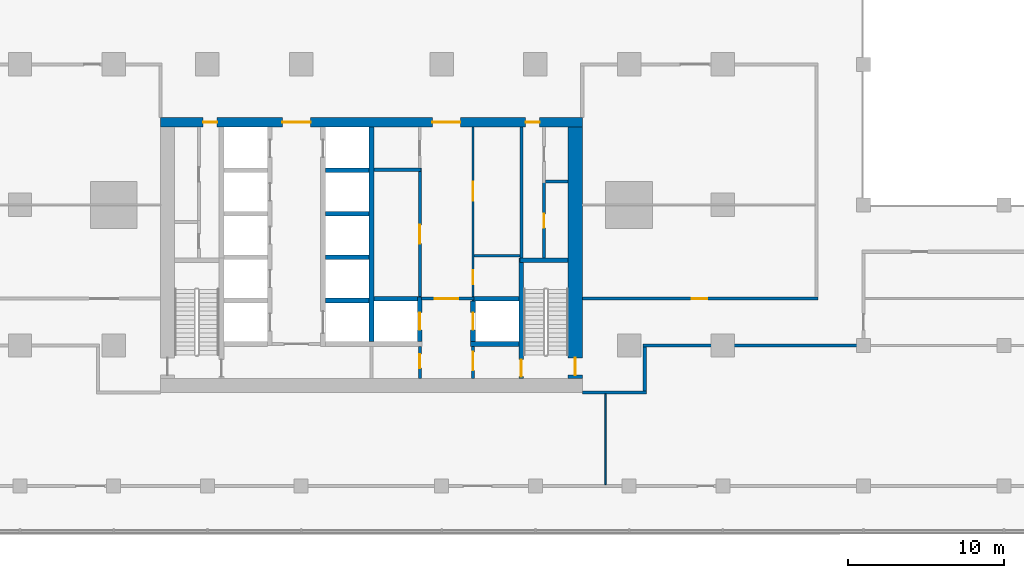
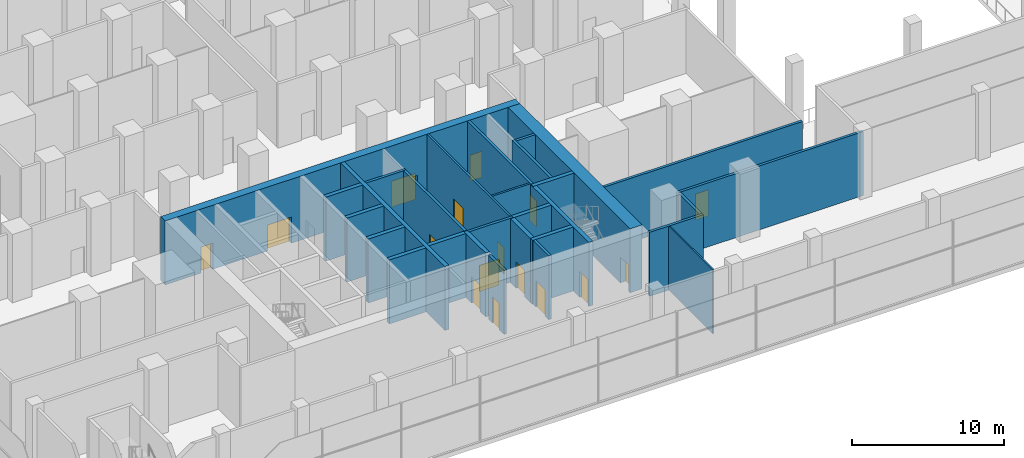
# One storey, part 14 of 22: 29 walls, 16 doors, 16 openings.
"""IFC4 building model written with IfcOpenShell, lengths in metres."""

import ifcopenshell
import ifcopenshell.guid

model = None  # the IFC model being written
_history = None  # IfcOwnerHistory: only IFC2X3 demands one
_inside = {}  # id of a spatial element -> (the spatial element, [elements in it])
_under = {}  # id of a project, library or spatial element -> (it, [spatial elements below it])
_declared = {}  # id of a project -> (the project, [libraries it declares])
_typed = {}  # id of a type object -> (the type object, [elements of that type])
_made_of = {}  # id of a material, layer set ... -> (it, [elements and type objects made of it])


def new_model(schema):
    """Start an empty IFC model of exactly this schema.

    Asked for "IFC4X3", IfcOpenShell would pick the latest addendum, in which some entities
    have other attributes; the version numbers below select the first issue.
    IFC2X3 requires an IfcOwnerHistory on every rooted entity: one is made here for all.
    """
    global model, _history
    if schema == "IFC4X3":
        model = ifcopenshell.file(schema_version=(4, 3, 0, 0))
    else:
        model = ifcopenshell.file(schema=schema)
    _inside.clear()
    _under.clear()
    _declared.clear()
    _typed.clear()
    _made_of.clear()
    _history = None
    if model.schema == "IFC2X3":
        org = make("IfcOrganization", Name="unknown")
        user = make(
            "IfcPersonAndOrganization",
            ThePerson=make("IfcPerson", FamilyName="unknown"),
            TheOrganization=org,
        )
        app = make(
            "IfcApplication",
            ApplicationDeveloper=org,
            Version="unknown",
            ApplicationFullName="unknown",
            ApplicationIdentifier="unknown",
        )
        _history = make(
            "IfcOwnerHistory",
            OwningUser=user,
            OwningApplication=app,
            ChangeAction="ADDED",
            CreationDate=0,
        )
    return model


def make(cls, **values):
    """One entity of the class cls with the attributes given. An attribute that is None is left unset."""
    return model.create_entity(
        cls, **{name: value for name, value in values.items() if value is not None}
    )


def rooted(cls, **values):
    """An entity with a GlobalId (a new one), such as an element, a storey or a relation."""
    return make(cls, GlobalId=ifcopenshell.guid.new(), OwnerHistory=_history, **values)


def si_unit(unit_type, name, prefix=None):
    """IfcSIUnit, for example si_unit("LENGTHUNIT", "METRE", prefix="MILLI")."""
    return make("IfcSIUnit", UnitType=unit_type, Prefix=prefix, Name=name)


def assignment(units):
    """IfcUnitAssignment: the units of a project."""
    return None if units is None else make("IfcUnitAssignment", Units=units)


def point(xyz):
    """IfcCartesianPoint."""
    return None if xyz is None else make("IfcCartesianPoint", Coordinates=xyz)


def direction(xyz):
    """IfcDirection."""
    return None if xyz is None else make("IfcDirection", DirectionRatios=xyz)


def frame(location, z_axis=None, x_axis=None):
    """IfcAxis2Placement3D, a coordinate frame: its origin and axes. An axis left out is left unset."""
    return make(
        "IfcAxis2Placement3D",
        Location=point(location),
        Axis=direction(z_axis),
        RefDirection=direction(x_axis),
    )


def frame_2d(location, x_axis=None):
    """IfcAxis2Placement2D, a coordinate frame in the plane: its origin and x axis."""
    return make(
        "IfcAxis2Placement2D", Location=point(location), RefDirection=direction(x_axis)
    )


def origin():
    """The frame at (0, 0, 0) with its axes left unset."""
    return frame((0.0, 0.0, 0.0))


def place(relative_to, where):
    """IfcLocalPlacement: puts the frame where relative to a parent placement (None: the world)."""
    return make(
        "IfcLocalPlacement", PlacementRelTo=relative_to, RelativePlacement=where
    )


def context(
    kind, dimensions, precision=None, world=None, true_north=None, identifier=None
):
    """IfcGeometricRepresentationContext, for example the 3D "Model" context."""
    return make(
        "IfcGeometricRepresentationContext",
        ContextIdentifier=identifier,
        ContextType=kind,
        CoordinateSpaceDimension=dimensions,
        Precision=precision,
        WorldCoordinateSystem=world,
        TrueNorth=true_north,
    )


def subcontext(parent, identifier, kind, view, scale=None):
    """IfcGeometricRepresentationSubContext, for example "Body" below "Model"."""
    return make(
        "IfcGeometricRepresentationSubContext",
        ContextIdentifier=identifier,
        ContextType=kind,
        ParentContext=parent,
        TargetScale=scale,
        TargetView=view,
    )


def project(units=None, contexts=None):
    """IfcProject with its units and contexts."""
    return rooted(
        "IfcProject",
        Name="project",
        RepresentationContexts=contexts,
        UnitsInContext=assignment(units),
    )


def spatial(cls, under=None, at=None, **own):
    """A site, building, storey or space (cls), placed at a placement, below another one or the project."""
    s = rooted(cls, ObjectPlacement=at, **own)
    if under is not None:
        _under.setdefault(under.id(), (under, []))[1].append(s)
    return s


def profile(cls, at=None, kind="AREA", **sizes):
    """A parametric profile (cls). Its sizes go by their IFC names, for example OverallWidth=200.0."""
    return make(cls, ProfileType=kind, Position=at, **sizes)


def rectangle(**sizes):
    """IfcRectangleProfileDef."""
    return profile("IfcRectangleProfileDef", **sizes)


def extrude(swept, where, along, depth):
    """IfcExtrudedAreaSolid: the profile swept, set in the frame where, extruded along a direction by depth."""
    return make(
        "IfcExtrudedAreaSolid",
        SweptArea=swept,
        Position=where,
        ExtrudedDirection=direction(along),
        Depth=depth,
    )


def shape(context_of_items, identifier, shape_type, items):
    """IfcShapeRepresentation: the items that make up one representation, for example the "Body"."""
    return make(
        "IfcShapeRepresentation",
        ContextOfItems=context_of_items,
        RepresentationIdentifier=identifier,
        RepresentationType=shape_type,
        Items=items,
    )


def material(Name=None, Category=None):
    """IfcMaterial."""
    return make("IfcMaterial", Name=Name, Category=Category)


def layer(
    of_material, thickness, ventilated=None, Name=None, Category=None, Priority=None
):
    """IfcMaterialLayer: one layer of a wall or slab, of a material (None: an air gap)."""
    return make(
        "IfcMaterialLayer",
        Material=of_material,
        LayerThickness=thickness,
        IsVentilated=ventilated,
        Name=Name,
        Category=Category,
        Priority=Priority,
    )


def layer_set(layers, Name=None):
    """IfcMaterialLayerSet."""
    return make("IfcMaterialLayerSet", MaterialLayers=layers, LayerSetName=Name)


def made_of(thing, what):
    """Note that an element or type object is made of a material, layer set ...; save() writes the relation."""
    if what is not None:
        _made_of.setdefault(what.id(), (what, []))[1].append(thing)
    return thing


def type_object(cls, material=None, **own):
    """A type object (cls), such as IfcWallType, which elements share."""
    return made_of(rooted(cls, **own), material)


def element(
    cls,
    number,
    at=None,
    inside=None,
    cuts=None,
    type_object=None,
    material=None,
    context=None,
    identifier="Body",
    shape_type=None,
    held_by="IfcProductDefinitionShape",
    body=None,
    shapes=None,
    **own,
):
    """One element of the class cls, such as IfcWall. Its Tag is "e" and its number.

    at: its placement. inside: the storey or other place that contains it. cuts: it is an
    opening in that element (IfcRelVoidsElement). A single representation is given by context,
    identifier, shape_type and body (its items); several are given by shapes. held_by: the class
    of the entity that holds the representations. save() writes the other relations.
    """
    e = rooted(cls, Tag="e%d" % number, ObjectPlacement=at, **own)
    if body is not None:
        shapes = [shape(context, identifier, shape_type, body)]
    if shapes is not None:
        e.Representation = make(held_by, Representations=shapes)
    if inside is not None:
        _inside.setdefault(inside.id(), (inside, []))[1].append(e)
    if cuts is not None:
        rooted(
            "IfcRelVoidsElement", RelatingBuildingElement=cuts, RelatedOpeningElement=e
        )
    if type_object is not None:
        _typed.setdefault(type_object.id(), (type_object, []))[1].append(e)
    return made_of(e, material)


def fill(opening, filler):
    """IfcRelFillsElement: the door or window that sits in an opening."""
    return rooted(
        "IfcRelFillsElement",
        RelatingOpeningElement=opening,
        RelatedBuildingElement=filler,
    )


def aggregate(whole, parts):
    """IfcRelAggregates: a whole, such as a stair, and the parts it consists of."""
    return rooted("IfcRelAggregates", RelatingObject=whole, RelatedObjects=parts)


def save(model, path):
    """Write the relations noted so far, then the file.

    IfcRelAggregates (storeys below a building ...), IfcRelContainedInSpatialStructure (elements
    in a storey), IfcRelDefinesByType, IfcRelAssociatesMaterial and IfcRelDeclares: one each for
    every whole, place, type object, material and project.
    """
    for whole, parts in _under.values():
        aggregate(whole, parts)
    for where, things in _inside.values():
        rooted(
            "IfcRelContainedInSpatialStructure",
            RelatedElements=things,
            RelatingStructure=where,
        )
    for kind, things in _typed.values():
        rooted("IfcRelDefinesByType", RelatedObjects=things, RelatingType=kind)
    for what, things in _made_of.values():
        rooted("IfcRelAssociatesMaterial", RelatedObjects=things, RelatingMaterial=what)
    for by, libraries in _declared.values():
        rooted("IfcRelDeclares", RelatingContext=by, RelatedDefinitions=libraries)
    model.write(path)


model = new_model("IFC4")

# Units and contexts
model_context = context("Model", 3, precision=1e-05, world=origin(), true_north=direction((0.0, 1.0)))
body_context = subcontext(model_context, "Body", "Model", "MODEL_VIEW")
ifc_project = project(units=[si_unit("LENGTHUNIT", "METRE"), si_unit("AREAUNIT", "SQUARE_METRE"), si_unit("VOLUMEUNIT", "CUBIC_METRE"), si_unit("PLANEANGLEUNIT", "RADIAN"), si_unit("MASSUNIT", "GRAM", prefix="KILO")], contexts=[model_context])

# Site, building, storey
site_placement = place(None, origin())
site = spatial("IfcSite", under=ifc_project, at=site_placement, CompositionType="ELEMENT")
building_placement = place(site_placement, origin())
building = spatial("IfcBuilding", under=site, at=building_placement, Name="Finial Court Residences", CompositionType="ELEMENT")
storey_placement = place(building_placement, frame((0.0, 0.0, 8.0)))
storey = spatial("IfcBuildingStorey", under=building, at=storey_placement, Name="L01", CompositionType="ELEMENT", Elevation=8.0)

# Wall, openings, doors
ifc_material_1 = material(Name="Concrete C80/95", Category="concrete")
ifc_layer_1 = layer(ifc_material_1, 0.60009765625)
ifc_layer_set_1 = layer_set([ifc_layer_1], Name="Core outer wall 600 Concrete C80/95")
wall_type_1 = type_object("IfcWallType", Name="Core outer wall 600 Concrete C80/95", PredefinedType="SHEAR", material=ifc_layer_set_1)
wall_1_placement = place(storey_placement, frame((-13.5, -8.199951171875, 0.0), z_axis=(0.0, 0.0, 1.0), x_axis=(1.0, 0.0, 0.0)))
wall_1 = element("IfcWall", 1, at=wall_1_placement, inside=storey, type_object=wall_type_1, Name="Core outer wall L01-02", PredefinedType="SHEAR", context=body_context, shape_type="SweptSolid", body=[
    extrude(rectangle(XDim=27.0, YDim=0.60009765625, at=frame_2d((13.5, 0.0))), origin(), (0.0, 0.0, 1.0), 5.14990234375),
])
opening_1_placement = place(wall_1_placement, frame((7.800048828125, 0.0, 0.0)))
opening_1 = element("IfcOpeningElement", 2, at=opening_1_placement, cuts=wall_1, Name="Opening L01-C04", PredefinedType="OPENING", context=body_context, shape_type="SweptSolid", body=[
    extrude(rectangle(XDim=1.800048828125, YDim=2.10009765625, at=frame_2d((0.89990234375, 1.050048828125))), frame((0.0, 0.31005859375, 0.0), z_axis=(0.0, -1.0, 0.0), x_axis=(1.0, 0.0, 0.0)), (0.0, 0.0, 1.0), 0.6201171875),
])
opening_2_placement = place(wall_1_placement, frame((17.39990234375, 0.0, 0.0)))
opening_2 = element("IfcOpeningElement", 3, at=opening_2_placement, cuts=wall_1, Name="Opening L01-C05", PredefinedType="OPENING", context=body_context, shape_type="SweptSolid", body=[
    extrude(rectangle(XDim=1.800048828125, YDim=2.10009765625, at=frame_2d((0.89990234375, 1.050048828125))), frame((0.0, 0.31005859375, 0.0), z_axis=(0.0, -1.0, 0.0), x_axis=(1.0, 0.0, 0.0)), (0.0, 0.0, 1.0), 0.6201171875),
])
opening_3_placement = place(wall_1_placement, frame((2.72509765625, 0.0, 0.0)))
opening_3 = element("IfcOpeningElement", 4, at=opening_3_placement, cuts=wall_1, Name="Opening L01-C10", PredefinedType="OPENING", context=body_context, shape_type="SweptSolid", body=[
    extrude(rectangle(XDim=0.89990234375, YDim=2.10009765625, at=frame_2d((0.449951171875, 1.050048828125))), frame((0.0, 0.31005859375, 0.0), z_axis=(0.0, -1.0, 0.0), x_axis=(1.0, 0.0, 0.0)), (0.0, 0.0, 1.0), 0.6201171875),
])
opening_4_placement = place(wall_1_placement, frame((23.375, 0.0, 0.0)))
opening_4 = element("IfcOpeningElement", 5, at=opening_4_placement, cuts=wall_1, Name="Opening L01-C11", PredefinedType="OPENING", context=body_context, shape_type="SweptSolid", body=[
    extrude(rectangle(XDim=0.89990234375, YDim=2.10009765625, at=frame_2d((0.449951171875, 1.050048828125))), frame((0.0, 0.31005859375, 0.0), z_axis=(0.0, -1.0, 0.0), x_axis=(1.0, 0.0, 0.0)), (0.0, 0.0, 1.0), 0.6201171875),
])
ifc_material_2 = material(Name="Steel fire door", Category="steel")
door_type_1 = type_object("IfcDoorType", Name="Lift lobby door 1800 x 2100 EI 60", OperationType="DOUBLE_DOOR_SINGLE_SWING", PredefinedType="DOOR", material=ifc_material_2)
door_1_placement = place(opening_1_placement, origin())
door_1 = element("IfcDoor", 6, at=door_1_placement, inside=storey, type_object=door_type_1, Name="Lift lobby door L01-C04", OperationType="DOUBLE_DOOR_SINGLE_SWING", OverallHeight=2.10009765625, OverallWidth=1.800048828125, PredefinedType="DOOR", context=body_context, shape_type="SweptSolid", body=[
    extrude(rectangle(XDim=1.800048828125, YDim=2.10009765625, at=frame_2d((0.89990234375, 1.050048828125))), frame((0.0, 0.02490234375, 0.0), z_axis=(0.0, -1.0, 0.0), x_axis=(1.0, 0.0, 0.0)), (0.0, 0.0, 1.0), 0.050048828125),
])
fill(opening_1, door_1)
door_2_placement = place(opening_2_placement, origin())
door_2 = element("IfcDoor", 7, at=door_2_placement, inside=storey, type_object=door_type_1, Name="Lift lobby door L01-C05", OperationType="DOUBLE_DOOR_SINGLE_SWING", OverallHeight=2.10009765625, OverallWidth=1.800048828125, PredefinedType="DOOR", context=body_context, shape_type="SweptSolid", body=[
    extrude(rectangle(XDim=1.800048828125, YDim=2.10009765625, at=frame_2d((0.89990234375, 1.050048828125))), frame((0.0, 0.02490234375, 0.0), z_axis=(0.0, -1.0, 0.0), x_axis=(1.0, 0.0, 0.0)), (0.0, 0.0, 1.0), 0.050048828125),
])
fill(opening_2, door_2)
door_type_2 = type_object("IfcDoorType", Name="Riser room door 900 x 2100 EI 90", OperationType="NOTDEFINED", PredefinedType="DOOR", material=ifc_material_2)
door_3_placement = place(opening_3_placement, origin())
door_3 = element("IfcDoor", 8, at=door_3_placement, inside=storey, type_object=door_type_2, Name="Riser room door L01-C10", OperationType="SINGLE_SWING_RIGHT", OverallHeight=2.10009765625, OverallWidth=0.89990234375, PredefinedType="DOOR", context=body_context, shape_type="SweptSolid", body=[
    extrude(rectangle(XDim=0.89990234375, YDim=2.10009765625, at=frame_2d((0.449951171875, 1.050048828125))), frame((0.0, 0.02490234375, 0.0), z_axis=(0.0, -1.0, 0.0), x_axis=(1.0, 0.0, 0.0)), (0.0, 0.0, 1.0), 0.050048828125),
])
fill(opening_3, door_3)
door_4_placement = place(opening_4_placement, origin())
door_4 = element("IfcDoor", 9, at=door_4_placement, inside=storey, type_object=door_type_2, Name="Riser room door L01-C11", OperationType="SINGLE_SWING_LEFT", OverallHeight=2.10009765625, OverallWidth=0.89990234375, PredefinedType="DOOR", context=body_context, shape_type="SweptSolid", body=[
    extrude(rectangle(XDim=0.89990234375, YDim=2.10009765625, at=frame_2d((0.449951171875, 1.050048828125))), frame((0.0, 0.02490234375, 0.0), z_axis=(0.0, -1.0, 0.0), x_axis=(1.0, 0.0, 0.0)), (0.0, 0.0, 1.0), 0.050048828125),
])
fill(opening_4, door_4)

# Wall, opening, door
ifc_layer_2 = layer(ifc_material_1, 0.89990234375)
ifc_layer_set_2 = layer_set([ifc_layer_2], Name="Core outer wall 900 Concrete C80/95")
wall_type_2 = type_object("IfcWallType", Name="Core outer wall 900 Concrete C80/95", PredefinedType="SHEAR", material=ifc_layer_set_2)
wall_2_placement = place(storey_placement, frame((13.050048828125, -24.60009765625, 0.0), z_axis=(0.0, 0.0, 1.0), x_axis=(0.0, 1.0, 0.0)))
wall_2 = element("IfcWall", 10, at=wall_2_placement, inside=storey, type_object=wall_type_2, Name="Core outer wall L01-04", PredefinedType="SHEAR", context=body_context, shape_type="SweptSolid", body=[
    extrude(rectangle(XDim=16.10009765625, YDim=0.89990234375, at=frame_2d((8.050048828125, 0.0))), origin(), (0.0, 0.0, 1.0), 5.14990234375),
])
opening_5_placement = place(wall_2_placement, frame((0.199951171875, 0.0, 0.0)))
opening_5 = element("IfcOpeningElement", 11, at=opening_5_placement, cuts=wall_2, Name="Opening L01-C20", PredefinedType="OPENING", context=body_context, shape_type="SweptSolid", body=[
    extrude(rectangle(XDim=1.10009765625, YDim=2.10009765625, at=frame_2d((0.550048828125, 1.050048828125))), frame((0.0, 0.4599609375, 0.0), z_axis=(0.0, -1.0, 0.0), x_axis=(1.0, 0.0, 0.0)), (0.0, 0.0, 1.0), 0.919921875),
])
door_type_3 = type_object("IfcDoorType", Name="Stair door 1100 x 2100 EI 90", OperationType="NOTDEFINED", PredefinedType="DOOR", material=ifc_material_2)
door_5_placement = place(opening_5_placement, origin())
door_5 = element("IfcDoor", 12, at=door_5_placement, inside=storey, type_object=door_type_3, Name="Stair door L01-C20", OperationType="SINGLE_SWING_LEFT", OverallHeight=2.10009765625, OverallWidth=1.10009765625, PredefinedType="DOOR", context=body_context, shape_type="SweptSolid", body=[
    extrude(rectangle(XDim=1.10009765625, YDim=2.10009765625, at=frame_2d((0.550048828125, 1.050048828125))), frame((0.0, 0.02490234375, 0.0), z_axis=(0.0, -1.0, 0.0), x_axis=(1.0, 0.0, 0.0)), (0.0, 0.0, 1.0), 0.050048828125),
])
fill(opening_5, door_5)

# Wall
ifc_material_3 = material(Name="Fire-rated gypsum board partition")
ifc_layer_3 = layer(ifc_material_3, 0.14990234375)
ifc_layer_set_3 = layer_set([ifc_layer_3], Name="Core room partition 150 EI 60")
wall_type_3 = type_object("IfcWallType", Name="Core room partition 150 EI 60", PredefinedType="PARTITIONING", material=ifc_layer_set_3)
wall_3_placement = place(storey_placement, frame((6.574951171875, -16.75, 0.0), z_axis=(0.0, 0.0, 1.0), x_axis=(1.0, 0.0, 0.0)))
element("IfcWall", 13, at=wall_3_placement, inside=storey, type_object=wall_type_3, Name="Core partition L01-14", PredefinedType="PARTITIONING", context=body_context, shape_type="SweptSolid", body=[
    extrude(rectangle(XDim=2.925048828125, YDim=0.14990234375, at=frame_2d((1.46240234375, 0.0))), origin(), (0.0, 0.0, 1.0), 5.14990234375),
])

# Wall, openings, doors
wall_4_placement = place(storey_placement, frame((6.5, -8.5, 0.0), z_axis=(0.0, 0.0, 1.0), x_axis=(0.0, -1.0, 0.0)))
wall_4 = element("IfcWall", 14, at=wall_4_placement, inside=storey, type_object=wall_type_3, Name="Core partition L01-36", PredefinedType="PARTITIONING", context=body_context, shape_type="SweptSolid", body=[
    extrude(rectangle(XDim=10.85009765625, YDim=0.14990234375, at=frame_2d((5.425048828125, 0.0))), origin(), (0.0, 0.0, 1.0), 5.14990234375),
])
opening_6_placement = place(wall_4_placement, frame((9.175048828125, 0.0, 0.0)))
opening_6 = element("IfcOpeningElement", 15, at=opening_6_placement, cuts=wall_4, Name="Opening L01-C15", PredefinedType="OPENING", context=body_context, shape_type="SweptSolid", body=[
    extrude(rectangle(XDim=0.89990234375, YDim=2.10009765625, at=frame_2d((0.449951171875, 1.050048828125))), frame((0.0, 0.0849609375, 0.0), z_axis=(0.0, -1.0, 0.0), x_axis=(1.0, 0.0, 0.0)), (0.0, 0.0, 1.0), 0.169921875),
])
opening_7_placement = place(wall_4_placement, frame((3.52490234375, 0.0, 0.0)))
opening_7 = element("IfcOpeningElement", 16, at=opening_7_placement, cuts=wall_4, Name="Opening L01-C16", PredefinedType="OPENING", context=body_context, shape_type="SweptSolid", body=[
    extrude(rectangle(XDim=1.199951171875, YDim=2.10009765625, at=frame_2d((0.60009765625, 1.050048828125))), frame((0.0, 0.0849609375, 0.0), z_axis=(0.0, -1.0, 0.0), x_axis=(1.0, 0.0, 0.0)), (0.0, 0.0, 1.0), 0.169921875),
])
door_type_4 = type_object("IfcDoorType", Name="Core room door 1200 x 2100 EI 60", OperationType="NOTDEFINED", PredefinedType="DOOR", material=ifc_material_2)
door_6_placement = place(opening_7_placement, origin())
door_6 = element("IfcDoor", 17, at=door_6_placement, inside=storey, type_object=door_type_4, Name="Core room door L01-C16", OperationType="SINGLE_SWING_RIGHT", OverallHeight=2.10009765625, OverallWidth=1.199951171875, PredefinedType="DOOR", context=body_context, shape_type="SweptSolid", body=[
    extrude(rectangle(XDim=1.199951171875, YDim=2.10009765625, at=frame_2d((0.60009765625, 1.050048828125))), frame((0.0, 0.02490234375, 0.0), z_axis=(0.0, -1.0, 0.0), x_axis=(1.0, 0.0, 0.0)), (0.0, 0.0, 1.0), 0.050048828125),
])
fill(opening_7, door_6)
door_type_5 = type_object("IfcDoorType", Name="Core room door 900 x 2100 EI 60", OperationType="NOTDEFINED", PredefinedType="DOOR", material=ifc_material_2)
door_7_placement = place(opening_6_placement, origin())
door_7 = element("IfcDoor", 18, at=door_7_placement, inside=storey, type_object=door_type_5, Name="Core room door L01-C15", OperationType="SINGLE_SWING_RIGHT", OverallHeight=2.10009765625, OverallWidth=0.89990234375, PredefinedType="DOOR", context=body_context, shape_type="SweptSolid", body=[
    extrude(rectangle(XDim=0.89990234375, YDim=2.10009765625, at=frame_2d((0.449951171875, 1.050048828125))), frame((0.0, 0.02490234375, 0.0), z_axis=(0.0, -1.0, 0.0), x_axis=(1.0, 0.0, 0.0)), (0.0, 0.0, 1.0), 0.050048828125),
])
fill(opening_6, door_7)

# Walls
ifc_material_4 = material(Name="Gypsum board")
ifc_layer_4 = layer(ifc_material_4, 0.02490234375)
ifc_material_5 = material(Name="Acoustic mineral wool in double frame")
ifc_layer_5 = layer(ifc_material_5, 0.14990234375)
ifc_layer_6 = layer(ifc_material_4, 0.02490234375)
ifc_layer_set_4 = layer_set([ifc_layer_4, ifc_layer_5, ifc_layer_6], Name="Corridor wall 200, 1 hour")
wall_type_4 = type_object("IfcWallType", Name="Corridor wall 200, 1 hour", PredefinedType="PARTITIONING", material=ifc_layer_set_4)
wall_5_placement = place(storey_placement, frame((13.5, -25.5, 0.0), z_axis=(0.0, 0.0, 1.0), x_axis=(1.0, 0.0, 0.0)))
element("IfcWall", 19, at=wall_5_placement, inside=storey, type_object=wall_type_4, Name="Partition L01-004", PredefinedType="PARTITIONING", context=body_context, shape_type="SweptSolid", body=[
    extrude(rectangle(XDim=4.10009765625, YDim=0.199951171875, at=frame_2d((2.050048828125, 0.0))), origin(), (0.0, 0.0, 1.0), 5.14990234375),
])
wall_6_placement = place(storey_placement, frame((17.39990234375, -22.5, 0.0), z_axis=(0.0, 0.0, 1.0), x_axis=(1.0, 0.0, 0.0)))
element("IfcWall", 20, at=wall_6_placement, inside=storey, type_object=wall_type_4, Name="Partition L01-006", PredefinedType="PARTITIONING", context=body_context, shape_type="SweptSolid", body=[
    extrude(rectangle(XDim=14.10009765625, YDim=0.199951171875, at=frame_2d((7.050048828125, 0.0))), origin(), (0.0, 0.0, 1.0), 5.14990234375),
])

# Wall, opening, door
wall_7_placement = place(storey_placement, frame((13.5, -19.5, 0.0), z_axis=(0.0, 0.0, 1.0), x_axis=(1.0, 0.0, 0.0)))
wall_7 = element("IfcWall", 21, at=wall_7_placement, inside=storey, type_object=wall_type_4, Name="Partition L01-009", PredefinedType="PARTITIONING", context=body_context, shape_type="SweptSolid", body=[
    extrude(rectangle(XDim=15.10009765625, YDim=0.199951171875, at=frame_2d((7.550048828125, 0.0))), origin(), (0.0, 0.0, 1.0), 5.14990234375),
])
opening_8_placement = place(wall_7_placement, frame((7.0, 0.0, 0.0)))
opening_8 = element("IfcOpeningElement", 22, at=opening_8_placement, cuts=wall_7, Name="Opening L01-D007", PredefinedType="OPENING", context=body_context, shape_type="SweptSolid", body=[
    extrude(rectangle(XDim=1.0, YDim=2.10009765625, at=frame_2d((0.5, 1.050048828125))), frame((0.0, 0.10986328125, 0.0), z_axis=(0.0, -1.0, 0.0), x_axis=(1.0, 0.0, 0.0)), (0.0, 0.0, 1.0), 0.219970703125),
])
ifc_material_6 = material(Name="Timber door leaf in hollow metal frame", Category="wood")
door_type_6 = type_object("IfcDoorType", Name="Fire door set 1000 x 2100, 30 minutes", OperationType="SINGLE_SWING_LEFT", PredefinedType="DOOR", material=ifc_material_6)
door_8_placement = place(opening_8_placement, origin())
door_8 = element("IfcDoor", 23, at=door_8_placement, inside=storey, type_object=door_type_6, Name="Door L01-D007", OperationType="SINGLE_SWING_RIGHT", OverallHeight=2.10009765625, OverallWidth=1.0, PredefinedType="DOOR", context=body_context, shape_type="SweptSolid", body=[
    extrude(rectangle(XDim=1.0, YDim=2.10009765625, at=frame_2d((0.5, 1.050048828125))), frame((0.0, 0.02490234375, 0.0), z_axis=(0.0, -1.0, 0.0), x_axis=(1.0, 0.0, 0.0)), (0.0, 0.0, 1.0), 0.050048828125),
])
fill(opening_8, door_8)

# Wall
wall_8_placement = place(storey_placement, frame((17.5, -25.39990234375, 0.0), z_axis=(0.0, 0.0, 1.0), x_axis=(0.0, 1.0, 0.0)))
element("IfcWall", 24, at=wall_8_placement, inside=storey, type_object=wall_type_4, Name="Partition L01-054", PredefinedType="PARTITIONING", context=body_context, shape_type="SweptSolid", body=[
    extrude(rectangle(XDim=2.7998046875, YDim=0.199951171875, at=frame_2d((1.39990234375, 0.0))), origin(), (0.0, 0.0, 1.0), 5.14990234375),
])

# Wall, opening, door
ifc_layer_7 = layer(ifc_material_3, 0.199951171875)
ifc_layer_set_5 = layer_set([ifc_layer_7], Name="Firefighting lobby wall 200 EI 120")
wall_type_5 = type_object("IfcWallType", Name="Firefighting lobby wall 200 EI 120", PredefinedType="PARTITIONING", material=ifc_layer_set_5)
wall_9_placement = place(storey_placement, frame((6.574951171875, -19.5, 0.0), z_axis=(0.0, 0.0, 1.0), x_axis=(-1.0, 0.0, 0.0)))
wall_9 = element("IfcWall", 25, at=wall_9_placement, inside=storey, type_object=wall_type_5, Name="Core partition L01-08", PredefinedType="PARTITIONING", context=body_context, shape_type="SweptSolid", body=[
    extrude(rectangle(XDim=3.375, YDim=0.199951171875, at=frame_2d((1.6875, 0.0))), origin(), (0.0, 0.0, 1.0), 5.14990234375),
])
opening_9_placement = place(wall_9_placement, frame((1.02490234375, 0.0, 0.0)))
opening_9 = element("IfcOpeningElement", 26, at=opening_9_placement, cuts=wall_9, Name="Opening L01-C02", PredefinedType="OPENING", context=body_context, shape_type="SweptSolid", body=[
    extrude(rectangle(XDim=1.5, YDim=2.10009765625, at=frame_2d((0.75, 1.050048828125))), frame((0.0, 0.10986328125, 0.0), z_axis=(0.0, -1.0, 0.0), x_axis=(1.0, 0.0, 0.0)), (0.0, 0.0, 1.0), 0.219970703125),
])
door_type_7 = type_object("IfcDoorType", Name="Firefighting lobby door 1500 x 2100 EI 90", OperationType="DOUBLE_DOOR_SINGLE_SWING", PredefinedType="DOOR", material=ifc_material_2)
door_9_placement = place(opening_9_placement, origin())
door_9 = element("IfcDoor", 27, at=door_9_placement, inside=storey, type_object=door_type_7, Name="Firefighting lobby door L01-C02", OperationType="DOUBLE_DOOR_SINGLE_SWING", OverallHeight=2.10009765625, OverallWidth=1.5, PredefinedType="DOOR", context=body_context, shape_type="SweptSolid", body=[
    extrude(rectangle(XDim=1.5, YDim=2.10009765625, at=frame_2d((0.75, 1.050048828125))), frame((0.0, 0.02490234375, 0.0), z_axis=(0.0, -1.0, 0.0), x_axis=(1.0, 0.0, 0.0)), (0.0, 0.0, 1.0), 0.050048828125),
])
fill(opening_9, door_9)

wall_10_placement = place(storey_placement, frame((3.10009765625, -24.60009765625, 0.0), z_axis=(0.0, 0.0, 1.0), x_axis=(0.0, 1.0, 0.0)))
wall_10 = element("IfcWall", 28, at=wall_10_placement, inside=storey, type_object=wall_type_5, Name="Core partition L01-30", PredefinedType="PARTITIONING", context=body_context, shape_type="SweptSolid", body=[
    extrude(rectangle(XDim=2.050048828125, YDim=0.199951171875, at=frame_2d((1.02490234375, 0.0))), origin(), (0.0, 0.0, 1.0), 5.14990234375),
])
opening_10_placement = place(wall_10_placement, frame((0.64990234375, 0.0, 0.0)))
opening_10 = element("IfcOpeningElement", 29, at=opening_10_placement, cuts=wall_10, Name="Opening L01-C06", PredefinedType="OPENING", context=body_context, shape_type="SweptSolid", body=[
    extrude(rectangle(XDim=0.89990234375, YDim=2.10009765625, at=frame_2d((0.449951171875, 1.050048828125))), frame((0.0, 0.10986328125, 0.0), z_axis=(0.0, -1.0, 0.0), x_axis=(1.0, 0.0, 0.0)), (0.0, 0.0, 1.0), 0.219970703125),
])
door_10_placement = place(opening_10_placement, origin())
door_10 = element("IfcDoor", 30, at=door_10_placement, inside=storey, type_object=door_type_2, Name="Riser room door L01-C06", OperationType="SINGLE_SWING_LEFT", OverallHeight=2.10009765625, OverallWidth=0.89990234375, PredefinedType="DOOR", context=body_context, shape_type="SweptSolid", body=[
    extrude(rectangle(XDim=0.89990234375, YDim=2.10009765625, at=frame_2d((0.449951171875, 1.050048828125))), frame((0.0, 0.02490234375, 0.0), z_axis=(0.0, -1.0, 0.0), x_axis=(1.0, 0.0, 0.0)), (0.0, 0.0, 1.0), 0.050048828125),
])
fill(opening_10, door_10)

wall_11_placement = place(storey_placement, frame((6.5, -22.550048828125, 0.0), z_axis=(0.0, 0.0, 1.0), x_axis=(0.0, -1.0, 0.0)))
wall_11 = element("IfcWall", 31, at=wall_11_placement, inside=storey, type_object=wall_type_5, Name="Core partition L01-34", PredefinedType="PARTITIONING", context=body_context, shape_type="SweptSolid", body=[
    extrude(rectangle(XDim=2.050048828125, YDim=0.199951171875, at=frame_2d((1.02490234375, 0.0))), origin(), (0.0, 0.0, 1.0), 5.14990234375),
])
opening_11_placement = place(wall_11_placement, frame((0.35009765625, 0.0, 0.0)))
opening_11 = element("IfcOpeningElement", 32, at=opening_11_placement, cuts=wall_11, Name="Opening L01-C01", PredefinedType="OPENING", context=body_context, shape_type="SweptSolid", body=[
    extrude(rectangle(XDim=1.199951171875, YDim=2.10009765625, at=frame_2d((0.60009765625, 1.050048828125))), frame((0.0, 0.10986328125, 0.0), z_axis=(0.0, -1.0, 0.0), x_axis=(1.0, 0.0, 0.0)), (0.0, 0.0, 1.0), 0.219970703125),
])
door_type_8 = type_object("IfcDoorType", Name="Firefighting lobby door 1200 x 2100 EI 90", OperationType="NOTDEFINED", PredefinedType="DOOR", material=ifc_material_2)
door_11_placement = place(opening_11_placement, origin())
door_11 = element("IfcDoor", 33, at=door_11_placement, inside=storey, type_object=door_type_8, Name="Firefighting lobby door L01-C01", OperationType="SINGLE_SWING_RIGHT", OverallHeight=2.10009765625, OverallWidth=1.199951171875, PredefinedType="DOOR", context=body_context, shape_type="SweptSolid", body=[
    extrude(rectangle(XDim=1.199951171875, YDim=2.10009765625, at=frame_2d((0.60009765625, 1.050048828125))), frame((0.0, 0.02490234375, 0.0), z_axis=(0.0, -1.0, 0.0), x_axis=(1.0, 0.0, 0.0)), (0.0, 0.0, 1.0), 0.050048828125),
])
fill(opening_11, door_11)

# Walls
ifc_layer_8 = layer(ifc_material_4, 0.012451171875)
ifc_material_7 = material(Name="Mineral wool in light-gauge frame")
ifc_layer_9 = layer(ifc_material_7, 0.074951171875)
ifc_layer_10 = layer(ifc_material_4, 0.012451171875)
ifc_layer_set_6 = layer_set([ifc_layer_8, ifc_layer_9, ifc_layer_10], Name="Gypsum board partition 100")
wall_type_6 = type_object("IfcWallType", Name="Gypsum board partition 100", PredefinedType="PARTITIONING", material=ifc_layer_set_6)
wall_12_placement = place(storey_placement, frame((15.0, -31.39990234375, 0.0), z_axis=(0.0, 0.0, 1.0), x_axis=(0.0, 1.0, 0.0)))
element("IfcWall", 34, at=wall_12_placement, inside=storey, type_object=wall_type_6, Name="Partition L01-052", PredefinedType="PARTITIONING", context=body_context, shape_type="SweptSolid", body=[
    extrude(rectangle(XDim=5.7998046875, YDim=0.10009765625, at=frame_2d((2.89990234375, 0.0))), origin(), (0.0, 0.0, 1.0), 5.14990234375),
])
ifc_layer_11 = layer(ifc_material_1, 0.300048828125)
ifc_layer_set_7 = layer_set([ifc_layer_11], Name="Lift shaft and stair wall 300 Concrete C80/95")
wall_type_7 = type_object("IfcWallType", Name="Lift shaft and stair wall 300 Concrete C80/95", PredefinedType="SHEAR", material=ifc_layer_set_7)
wall_13_placement = place(storey_placement, frame((6.35009765625, -22.39990234375, 0.0), z_axis=(0.0, 0.0, 1.0), x_axis=(1.0, 0.0, 0.0)))
element("IfcWall", 35, at=wall_13_placement, inside=storey, type_object=wall_type_7, Name="Core wall L01-04", PredefinedType="SHEAR", context=body_context, shape_type="SweptSolid", body=[
    extrude(rectangle(XDim=3.099853515625, YDim=0.300048828125, at=frame_2d((1.5498046875, 0.0))), origin(), (0.0, 0.0, 1.0), 5.14990234375),
])
wall_14_placement = place(storey_placement, frame((-2.949951171875, -19.6201171875, 0.0), z_axis=(0.0, 0.0, 1.0), x_axis=(1.0, 0.0, 0.0)))
element("IfcWall", 36, at=wall_14_placement, inside=storey, type_object=wall_type_7, Name="Core wall L01-06", PredefinedType="SHEAR", context=body_context, shape_type="SweptSolid", body=[
    extrude(rectangle(XDim=2.800048828125, YDim=0.300048828125, at=frame_2d((1.39990234375, 0.0))), origin(), (0.0, 0.0, 1.0), 5.14990234375),
])
wall_15_placement = place(storey_placement, frame((0.14990234375, -19.5, 0.0), z_axis=(0.0, 0.0, 1.0), x_axis=(1.0, 0.0, 0.0)))
element("IfcWall", 37, at=wall_15_placement, inside=storey, type_object=wall_type_7, Name="Core wall L01-07", PredefinedType="SHEAR", context=body_context, shape_type="SweptSolid", body=[
    extrude(rectangle(XDim=3.050048828125, YDim=0.300048828125, at=frame_2d((1.52490234375, 0.0))), origin(), (0.0, 0.0, 1.0), 5.14990234375),
])
wall_16_placement = place(storey_placement, frame((6.425048828125, -19.5, 0.0), z_axis=(0.0, 0.0, 1.0), x_axis=(1.0, 0.0, 0.0)))
element("IfcWall", 38, at=wall_16_placement, inside=storey, type_object=wall_type_7, Name="Core wall L01-09", PredefinedType="SHEAR", context=body_context, shape_type="SweptSolid", body=[
    extrude(rectangle(XDim=3.02490234375, YDim=0.300048828125, at=frame_2d((1.512451171875, 0.0))), origin(), (0.0, 0.0, 1.0), 5.14990234375),
])
wall_17_placement = place(storey_placement, frame((9.5, -17.050048828125, 0.0), z_axis=(0.0, 0.0, 1.0), x_axis=(1.0, 0.0, 0.0)))
element("IfcWall", 39, at=wall_17_placement, inside=storey, type_object=wall_type_7, Name="Core wall L01-11", PredefinedType="SHEAR", context=body_context, shape_type="SweptSolid", body=[
    extrude(rectangle(XDim=3.10009765625, YDim=0.300048828125, at=frame_2d((1.550048828125, 0.0))), origin(), (0.0, 0.0, 1.0), 5.14990234375),
])
for number, where, z_axis, x_axis, name in (
    (40, (-2.949951171875, -16.840087890625, 0.0), (0.0, 0.0, 1.0), (1.0, 0.0, 0.0), "Core wall L01-13"),
    (41, (-2.949951171875, -14.06005859375, 0.0), (0.0, 0.0, 1.0), (1.0, 0.0, 0.0), "Core wall L01-17"),
    (42, (-2.949951171875, -11.280029296875, 0.0), (0.0, 0.0, 1.0), (1.0, 0.0, 0.0), "Core wall L01-20"),
):
    element("IfcWall", number, at=place(storey_placement, frame(where, z_axis=z_axis, x_axis=x_axis)), inside=storey, type_object=wall_type_7, Name=name, PredefinedType="SHEAR", context=body_context, shape_type="SweptSolid", body=[
        extrude(rectangle(XDim=2.800048828125, YDim=0.300048828125, at=frame_2d((1.39990234375, 0.0))), origin(), (0.0, 0.0, 1.0), 5.14990234375),
    ])
wall_18_placement = place(storey_placement, frame((0.0, -22.25, 0.0), z_axis=(0.0, 0.0, 1.0), x_axis=(0.0, 1.0, 0.0)))
element("IfcWall", 43, at=wall_18_placement, inside=storey, type_object=wall_type_7, Name="Core wall L01-29", PredefinedType="SHEAR", context=body_context, shape_type="SweptSolid", body=[
    extrude(rectangle(XDim=13.75, YDim=0.300048828125, at=frame_2d((6.875, 0.0))), origin(), (0.0, 0.0, 1.0), 5.14990234375),
])

# Wall, opening, door
wall_19_placement = place(storey_placement, frame((3.10009765625, -22.25, 0.0), z_axis=(0.0, 0.0, 1.0), x_axis=(0.0, 1.0, 0.0)))
wall_19 = element("IfcWall", 44, at=wall_19_placement, inside=storey, type_object=wall_type_7, Name="Core wall L01-31", PredefinedType="SHEAR", context=body_context, shape_type="SweptSolid", body=[
    extrude(rectangle(XDim=2.85009765625, YDim=0.300048828125, at=frame_2d((1.425048828125, 0.0))), origin(), (0.0, 0.0, 1.0), 5.14990234375),
])
opening_12_placement = place(wall_19_placement, frame((0.75, 0.0, 0.0)))
opening_12 = element("IfcOpeningElement", 45, at=opening_12_placement, cuts=wall_19, Name="Opening L01-LD01", PredefinedType="OPENING", context=body_context, shape_type="SweptSolid", body=[
    extrude(rectangle(XDim=1.10009765625, YDim=2.10009765625, at=frame_2d((0.550048828125, 1.050048828125))), frame((0.0, 0.159912109375, 0.0), z_axis=(0.0, -1.0, 0.0), x_axis=(1.0, 0.0, 0.0)), (0.0, 0.0, 1.0), 0.320068359375),
])
ifc_material_8 = material(Name="Stainless steel lift door", Category="steel")
door_type_9 = type_object("IfcDoorType", Name="Lift landing door 1100 x 2100 EI 90", OperationType="DOUBLE_DOOR_SLIDING", PredefinedType="DOOR", material=ifc_material_8)
door_12_placement = place(opening_12_placement, origin())
door_12 = element("IfcDoor", 46, at=door_12_placement, inside=storey, type_object=door_type_9, Name="Lift landing door FF1 L01", OperationType="DOUBLE_DOOR_SLIDING", OverallHeight=2.10009765625, OverallWidth=1.10009765625, PredefinedType="DOOR", context=body_context, shape_type="SweptSolid", body=[
    extrude(rectangle(XDim=1.10009765625, YDim=2.10009765625, at=frame_2d((0.550048828125, 1.050048828125))), frame((0.0, 0.02490234375, 0.0), z_axis=(0.0, -1.0, 0.0), x_axis=(1.0, 0.0, 0.0)), (0.0, 0.0, 1.0), 0.050048828125),
])
fill(opening_12, door_12)

wall_20_placement = place(storey_placement, frame((6.5, -22.25, 0.0), z_axis=(0.0, 0.0, 1.0), x_axis=(0.0, 1.0, 0.0)))
wall_20 = element("IfcWall", 47, at=wall_20_placement, inside=storey, type_object=wall_type_7, Name="Core wall L01-35", PredefinedType="SHEAR", context=body_context, shape_type="SweptSolid", body=[
    extrude(rectangle(XDim=2.60009765625, YDim=0.300048828125, at=frame_2d((1.300048828125, 0.0))), origin(), (0.0, 0.0, 1.0), 5.14990234375),
])
opening_13_placement = place(wall_20_placement, frame((0.75, 0.0, 0.0)))
opening_13 = element("IfcOpeningElement", 48, at=opening_13_placement, cuts=wall_20, Name="Opening L01-LD02", PredefinedType="OPENING", context=body_context, shape_type="SweptSolid", body=[
    extrude(rectangle(XDim=1.10009765625, YDim=2.10009765625, at=frame_2d((0.550048828125, 1.050048828125))), frame((0.0, 0.159912109375, 0.0), z_axis=(0.0, -1.0, 0.0), x_axis=(1.0, 0.0, 0.0)), (0.0, 0.0, 1.0), 0.320068359375),
])
door_13_placement = place(opening_13_placement, origin())
door_13 = element("IfcDoor", 49, at=door_13_placement, inside=storey, type_object=door_type_9, Name="Lift landing door FF2 L01", OperationType="DOUBLE_DOOR_SLIDING", OverallHeight=2.10009765625, OverallWidth=1.10009765625, PredefinedType="DOOR", context=body_context, shape_type="SweptSolid", body=[
    extrude(rectangle(XDim=1.10009765625, YDim=2.10009765625, at=frame_2d((0.550048828125, 1.050048828125))), frame((0.0, 0.02490234375, 0.0), z_axis=(0.0, -1.0, 0.0), x_axis=(1.0, 0.0, 0.0)), (0.0, 0.0, 1.0), 0.050048828125),
])
fill(opening_13, door_13)

wall_21_placement = place(storey_placement, frame((9.60009765625, -16.89990234375, 0.0), z_axis=(0.0, 0.0, 1.0), x_axis=(0.0, -1.0, 0.0)))
wall_21 = element("IfcWall", 50, at=wall_21_placement, inside=storey, type_object=wall_type_7, Name="Core wall L01-37", PredefinedType="SHEAR", context=body_context, shape_type="SweptSolid", body=[
    extrude(rectangle(XDim=7.7001953125, YDim=0.300048828125, at=frame_2d((3.85009765625, 0.0))), origin(), (0.0, 0.0, 1.0), 5.14990234375),
])
opening_14_placement = place(wall_21_placement, frame((6.5, 0.0, 0.0)))
opening_14 = element("IfcOpeningElement", 51, at=opening_14_placement, cuts=wall_21, Name="Opening L01-C18", PredefinedType="OPENING", context=body_context, shape_type="SweptSolid", body=[
    extrude(rectangle(XDim=1.10009765625, YDim=2.10009765625, at=frame_2d((0.550048828125, 1.050048828125))), frame((0.0, 0.159912109375, 0.0), z_axis=(0.0, -1.0, 0.0), x_axis=(1.0, 0.0, 0.0)), (0.0, 0.0, 1.0), 0.320068359375),
])
door_14_placement = place(opening_14_placement, origin())
door_14 = element("IfcDoor", 52, at=door_14_placement, inside=storey, type_object=door_type_3, Name="Stair door L01-C18", OperationType="SINGLE_SWING_RIGHT", OverallHeight=2.10009765625, OverallWidth=1.10009765625, PredefinedType="DOOR", context=body_context, shape_type="SweptSolid", body=[
    extrude(rectangle(XDim=1.10009765625, YDim=2.10009765625, at=frame_2d((0.550048828125, 1.050048828125))), frame((0.0, 0.02490234375, 0.0), z_axis=(0.0, -1.0, 0.0), x_axis=(1.0, 0.0, 0.0)), (0.0, 0.0, 1.0), 0.050048828125),
])
fill(opening_14, door_14)

# Walls
ifc_layer_12 = layer(ifc_material_3, 0.199951171875)
ifc_layer_set_8 = layer_set([ifc_layer_12], Name="Riser room wall 200 EI 120")
wall_type_8 = type_object("IfcWallType", Name="Riser room wall 200 EI 120", PredefinedType="PARTITIONING", material=ifc_layer_set_8)
wall_22_placement = place(storey_placement, frame((11.14990234375, -12.0, 0.0), z_axis=(0.0, 0.0, 1.0), x_axis=(1.0, 0.0, 0.0)))
element("IfcWall", 53, at=wall_22_placement, inside=storey, type_object=wall_type_8, Name="Core partition L01-18", PredefinedType="PARTITIONING", context=body_context, shape_type="SweptSolid", body=[
    extrude(rectangle(XDim=1.4501953125, YDim=0.199951171875, at=frame_2d((0.72509765625, 0.0))), origin(), (0.0, 0.0, 1.0), 5.14990234375),
])
wall_23_placement = place(storey_placement, frame((0.14990234375, -11.25, 0.0), z_axis=(0.0, 0.0, 1.0), x_axis=(1.0, 0.0, 0.0)))
element("IfcWall", 54, at=wall_23_placement, inside=storey, type_object=wall_type_8, Name="Core partition L01-21", PredefinedType="PARTITIONING", context=body_context, shape_type="SweptSolid", body=[
    extrude(rectangle(XDim=3.025146484375, YDim=0.199951171875, at=frame_2d((1.5126953125, 0.0))), origin(), (0.0, 0.0, 1.0), 5.14990234375),
])

# Wall, opening, door
wall_24_placement = place(storey_placement, frame((3.10009765625, -19.60009765625, 0.0), z_axis=(0.0, 0.0, 1.0), x_axis=(0.0, 1.0, 0.0)))
wall_24 = element("IfcWall", 55, at=wall_24_placement, inside=storey, type_object=wall_type_8, Name="Core partition L01-32", PredefinedType="PARTITIONING", context=body_context, shape_type="SweptSolid", body=[
    extrude(rectangle(XDim=8.4501953125, YDim=0.199951171875, at=frame_2d((4.22509765625, 0.0))), origin(), (0.0, 0.0, 1.0), 5.14990234375),
])
opening_15_placement = place(wall_24_placement, frame((3.625, 0.0, 0.0)))
opening_15 = element("IfcOpeningElement", 56, at=opening_15_placement, cuts=wall_24, Name="Opening L01-C09", PredefinedType="OPENING", context=body_context, shape_type="SweptSolid", body=[
    extrude(rectangle(XDim=1.199951171875, YDim=2.10009765625, at=frame_2d((0.60009765625, 1.050048828125))), frame((0.0, 0.10986328125, 0.0), z_axis=(0.0, -1.0, 0.0), x_axis=(1.0, 0.0, 0.0)), (0.0, 0.0, 1.0), 0.219970703125),
])
door_type_10 = type_object("IfcDoorType", Name="Riser room door 1200 x 2100 EI 90", OperationType="NOTDEFINED", PredefinedType="DOOR", material=ifc_material_2)
door_15_placement = place(opening_15_placement, origin())
door_15 = element("IfcDoor", 57, at=door_15_placement, inside=storey, type_object=door_type_10, Name="Riser room door L01-C09", OperationType="SINGLE_SWING_LEFT", OverallHeight=2.10009765625, OverallWidth=1.199951171875, PredefinedType="DOOR", context=body_context, shape_type="SweptSolid", body=[
    extrude(rectangle(XDim=1.199951171875, YDim=2.10009765625, at=frame_2d((0.60009765625, 1.050048828125))), frame((0.0, 0.02490234375, 0.0), z_axis=(0.0, -1.0, 0.0), x_axis=(1.0, 0.0, 0.0)), (0.0, 0.0, 1.0), 0.050048828125),
])
fill(opening_15, door_15)

# Wall
ifc_layer_13 = layer(ifc_material_3, 0.199951171875)
ifc_layer_set_9 = layer_set([ifc_layer_13], Name="Stair passage wall 200 EI 180")
wall_type_9 = type_object("IfcWallType", Name="Stair passage wall 200 EI 180", PredefinedType="PARTITIONING", material=ifc_layer_set_9)
wall_25_placement = place(storey_placement, frame((9.60009765625, -16.89990234375, 0.0), z_axis=(0.0, 0.0, 1.0), x_axis=(0.0, 1.0, 0.0)))
element("IfcWall", 58, at=wall_25_placement, inside=storey, type_object=wall_type_9, Name="Core partition L01-38", PredefinedType="PARTITIONING", context=body_context, shape_type="SweptSolid", body=[
    extrude(rectangle(XDim=8.39990234375, YDim=0.199951171875, at=frame_2d((4.199951171875, 0.0))), origin(), (0.0, 0.0, 1.0), 5.14990234375),
])

# Wall, opening, door
wall_26_placement = place(storey_placement, frame((11.050048828125, -11.89990234375, 0.0), z_axis=(0.0, 0.0, 1.0), x_axis=(0.0, -1.0, 0.0)))
wall_26 = element("IfcWall", 59, at=wall_26_placement, inside=storey, type_object=wall_type_9, Name="Core partition L01-39", PredefinedType="PARTITIONING", context=body_context, shape_type="SweptSolid", body=[
    extrude(rectangle(XDim=5.0, YDim=0.199951171875, at=frame_2d((2.5, 0.0))), origin(), (0.0, 0.0, 1.0), 5.14990234375),
])
opening_16_placement = place(wall_26_placement, frame((2.175048828125, 0.0, 0.0)))
opening_16 = element("IfcOpeningElement", 60, at=opening_16_placement, cuts=wall_26, Name="Opening L01-C13", PredefinedType="OPENING", context=body_context, shape_type="SweptSolid", body=[
    extrude(rectangle(XDim=0.89990234375, YDim=2.10009765625, at=frame_2d((0.449951171875, 1.050048828125))), frame((0.0, 0.10986328125, 0.0), z_axis=(0.0, -1.0, 0.0), x_axis=(1.0, 0.0, 0.0)), (0.0, 0.0, 1.0), 0.219970703125),
])
door_16_placement = place(opening_16_placement, origin())
door_16 = element("IfcDoor", 61, at=door_16_placement, inside=storey, type_object=door_type_5, Name="Core room door L01-C13", OperationType="SINGLE_SWING_RIGHT", OverallHeight=2.10009765625, OverallWidth=0.89990234375, PredefinedType="DOOR", context=body_context, shape_type="SweptSolid", body=[
    extrude(rectangle(XDim=0.89990234375, YDim=2.10009765625, at=frame_2d((0.449951171875, 1.050048828125))), frame((0.0, 0.02490234375, 0.0), z_axis=(0.0, -1.0, 0.0), x_axis=(1.0, 0.0, 0.0)), (0.0, 0.0, 1.0), 0.050048828125),
])
fill(opening_16, door_16)

save(model, "model.ifc")
